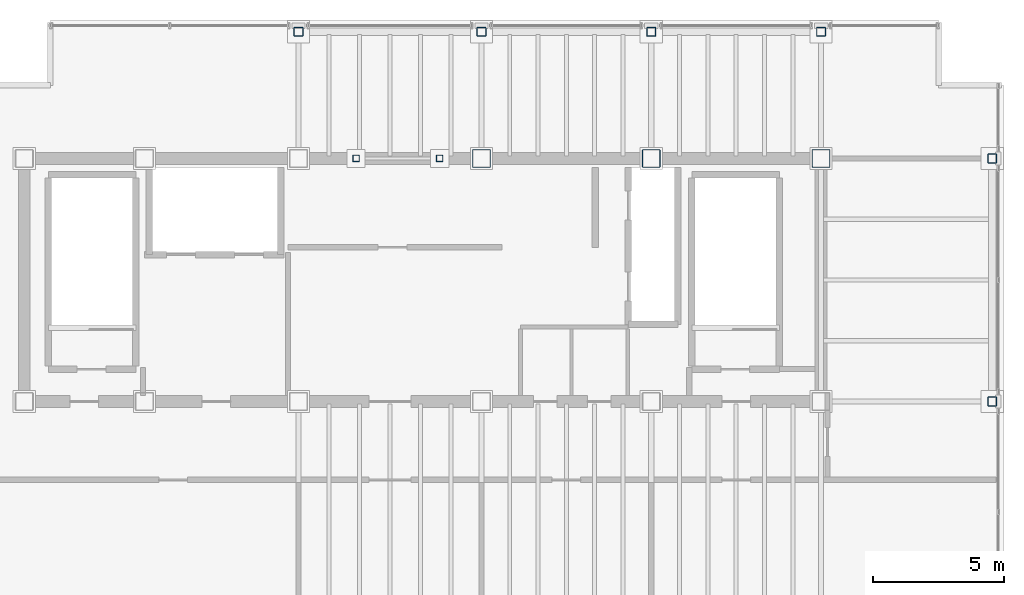
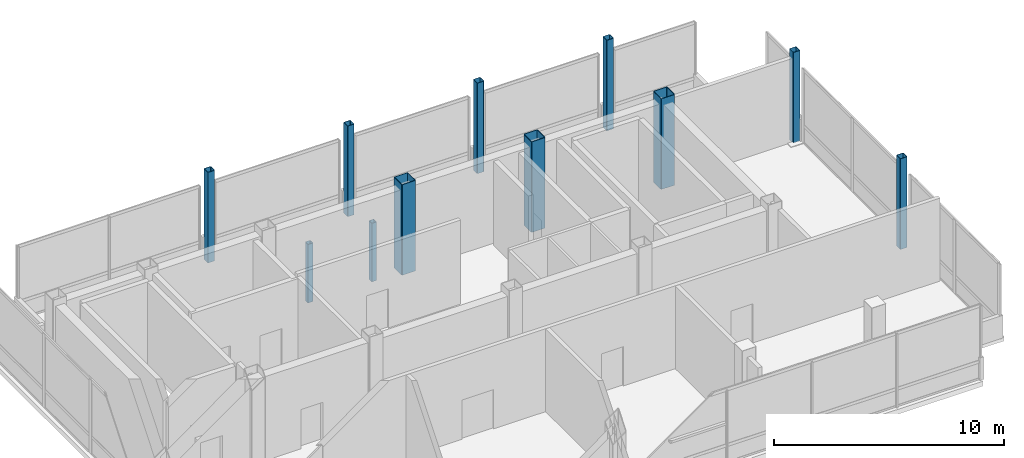
# One storey, part 2 of 20: 11 columns.
"""IFC4 building model written with IfcOpenShell, lengths in metres."""

from ifc_helpers import new_model, si_unit, direction, frame, origin, origin_2d, place, context, subcontext, project, spatial, hollow_rectangle, extrude, material, material_profile, profile_set, type_object, element, save


model = new_model("IFC4")

# Units and contexts
model_context = context("Model", 3, precision=1e-05, world=origin(), true_north=direction((0.0, 1.0)))
body_context = subcontext(model_context, "Body", "Model", "MODEL_VIEW")
ifc_project = project(units=[si_unit("LENGTHUNIT", "METRE"), si_unit("AREAUNIT", "SQUARE_METRE"), si_unit("VOLUMEUNIT", "CUBIC_METRE"), si_unit("PLANEANGLEUNIT", "RADIAN"), si_unit("MASSUNIT", "GRAM", prefix="KILO")], contexts=[model_context])

# Site, building, storey
site_placement = place(None, origin())
site = spatial("IfcSite", under=ifc_project, at=site_placement, CompositionType="ELEMENT")
building_placement = place(site_placement, origin())
building = spatial("IfcBuilding", under=site, at=building_placement, Name="Noeulbin Bourse Tower", CompositionType="ELEMENT")
storey_placement = place(building_placement, frame((0.0, 0.0, 312.60009765625)))
storey = spatial("IfcBuildingStorey", under=building, at=storey_placement, Name="L77", CompositionType="ELEMENT", Elevation=312.60009765625)

# Columns
ifc_material = material(Name="Steel S355", Category="steel")
ifc_material_profile_1 = material_profile(ifc_material, hollow_rectangle(XDim=0.25, YDim=0.25, WallThickness=0.010009765625, InnerFilletRadius=0.010009765625, OuterFilletRadius=0.02001953125, at=origin_2d()), Name="SHS-250x250x10", Category="LoadBearing")
ifc_profile_set_1 = profile_set([ifc_material_profile_1], Name="Steel S355")
column_type_1 = type_object("IfcColumnType", Name="COL-CAN-250", PredefinedType="COLUMN", material=ifc_profile_set_1)
for number, where, z_axis, x_axis, name in (
    (1, (26.199951171875, 38.300048828125, 0.0), (0.0, 0.0, 1.0), (1.0, 0.0, 0.0), "Crown Maintenance Post DM-P1"),
    (2, (29.39990234375, 38.300048828125, 0.0), (0.0, 0.0, 1.0), (1.0, 0.0, 0.0), "Crown Maintenance Post DM-P2"),
):
    element("IfcColumn", number, at=place(storey_placement, frame(where, z_axis=z_axis, x_axis=x_axis)), inside=storey, type_object=column_type_1, Name=name, PredefinedType="COLUMN", context=body_context, shape_type="SweptSolid", body=[
        extrude(hollow_rectangle(XDim=0.25, YDim=0.25, WallThickness=0.010009765625, InnerFilletRadius=0.010009765625, OuterFilletRadius=0.02001953125, at=origin_2d()), origin(), (0.0, 0.0, 1.0), 3.099853515625),
    ])
ifc_material_profile_2 = material_profile(ifc_material, hollow_rectangle(XDim=0.35009765625, YDim=0.35009765625, WallThickness=0.01611328125, InnerFilletRadius=0.01611328125, OuterFilletRadius=0.031982421875, at=origin_2d()), Name="SHS-350x350x16", Category="LoadBearing")
ifc_profile_set_2 = profile_set([ifc_material_profile_2], Name="Steel S355")
column_type_2 = type_object("IfcColumnType", Name="COL-CRN-Z5", PredefinedType="COLUMN", material=ifc_profile_set_2)
for number, where, z_axis, x_axis, name in (
    (3, (24.0, 43.14990234375, 0.0), (0.0, 0.0, 1.0), (1.0, 0.0, 0.0), "Tower Perimeter Column COL-CRN-Z5 01"),
    (4, (31.0, 43.14990234375, 0.0), (0.0, 0.0, 1.0), (1.0, 0.0, 0.0), "Tower Perimeter Column COL-CRN-Z5 02"),
    (5, (37.5, 43.14990234375, 0.0), (0.0, 0.0, 1.0), (1.0, 0.0, 0.0), "Tower Perimeter Column COL-CRN-Z5 03"),
    (6, (44.0, 43.14990234375, 0.0), (0.0, 0.0, 1.0), (1.0, 0.0, 0.0), "Tower Perimeter Column COL-CRN-Z5 04"),
    (7, (50.550048828125, 29.0, 0.0), (0.0, 0.0, 1.0), (1.0, 0.0, 0.0), "Tower Perimeter Column COL-CRN-Z5 05"),
    (8, (50.550048828125, 38.300048828125, 0.0), (0.0, 0.0, 1.0), (1.0, 0.0, 0.0), "Tower Perimeter Column COL-CRN-Z5 06"),
):
    element("IfcColumn", number, at=place(storey_placement, frame(where, z_axis=z_axis, x_axis=x_axis)), inside=storey, type_object=column_type_2, Name=name, PredefinedType="COLUMN", context=body_context, shape_type="SweptSolid", body=[
        extrude(hollow_rectangle(XDim=0.35009765625, YDim=0.35009765625, WallThickness=0.01611328125, InnerFilletRadius=0.01611328125, OuterFilletRadius=0.031982421875, at=origin_2d()), origin(), (0.0, 0.0, 1.0), 4.7998046875),
    ])
ifc_material_profile_3 = material_profile(ifc_material, hollow_rectangle(XDim=0.699951171875, YDim=0.699951171875, WallThickness=0.028076171875, InnerFilletRadius=0.013916015625, OuterFilletRadius=0.0419921875, at=origin_2d()), Name="BOX-700x700x28", Category="LoadBearing")
ifc_profile_set_3 = profile_set([ifc_material_profile_3], Name="Steel S355")
column_type_3 = type_object("IfcColumnType", Name="COL-TRK-Z4", PredefinedType="COLUMN", material=ifc_profile_set_3)
for number, where, z_axis, x_axis, name in (
    (9, (31.0, 38.300048828125, 0.0), (0.0, 0.0, 1.0), (1.0, 0.0, 0.0), "Tower Trunk Mega-Column COL-TRK-Z4 08"),
    (10, (37.5, 38.300048828125, 0.0), (0.0, 0.0, 1.0), (1.0, 0.0, 0.0), "Tower Trunk Mega-Column COL-TRK-Z4 10"),
    (11, (44.0, 38.300048828125, 0.0), (0.0, 0.0, 1.0), (1.0, 0.0, 0.0), "Tower Trunk Mega-Column COL-TRK-Z4 12"),
):
    element("IfcColumn", number, at=place(storey_placement, frame(where, z_axis=z_axis, x_axis=x_axis)), inside=storey, type_object=column_type_3, Name=name, PredefinedType="COLUMN", context=body_context, shape_type="SweptSolid", body=[
        extrude(hollow_rectangle(XDim=0.699951171875, YDim=0.699951171875, WallThickness=0.028076171875, InnerFilletRadius=0.013916015625, OuterFilletRadius=0.0419921875, at=origin_2d()), origin(), (0.0, 0.0, 1.0), 4.7998046875),
    ])

save(model, "model.ifc")
